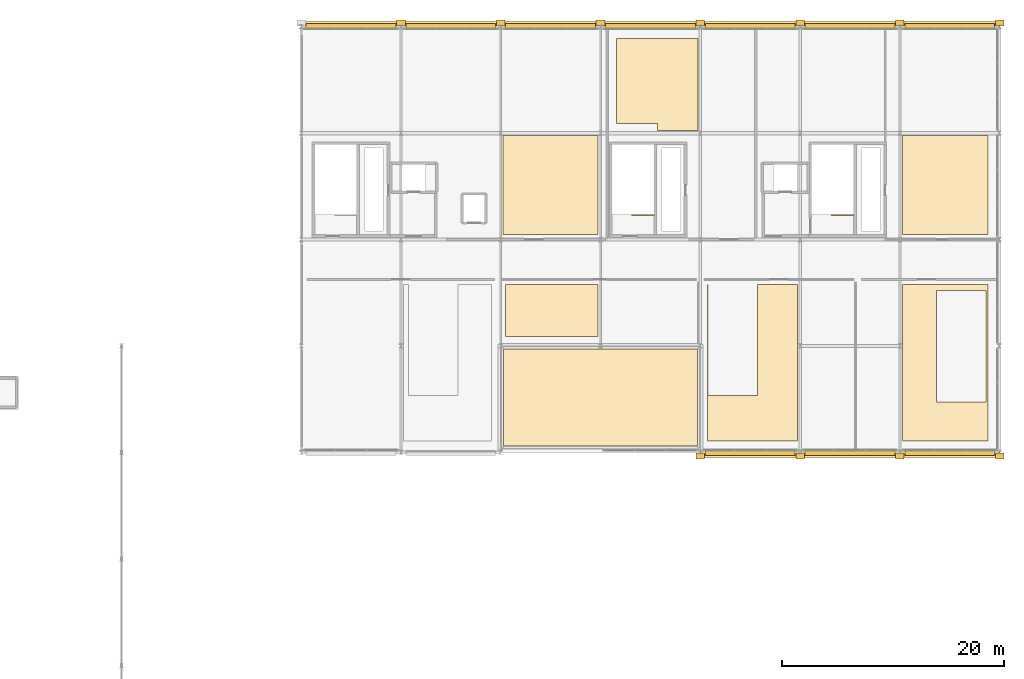
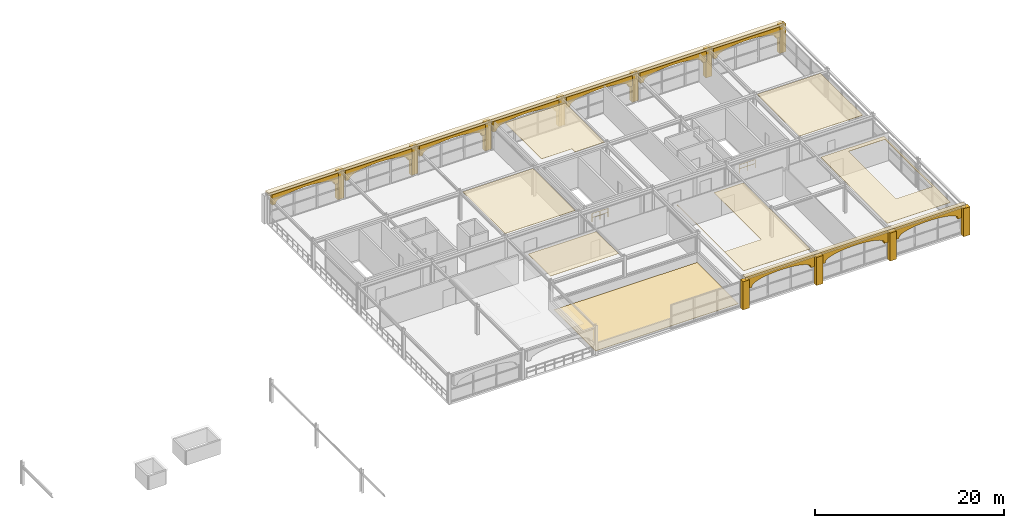
# One storey, part 25 of 25: 30 coverings, 2 railings.
"""IFC4 building model written with IfcOpenShell, lengths in metres."""

from ifc_helpers import new_model, si_unit, direction, frame, origin, origin_2d, place, context, subcontext, project, spatial, polyline, rectangle, outline, extrude, material, layer, layer_set, type_object, element, save


model = new_model("IFC4")

# Units and contexts
model_context = context("Model", 3, precision=1e-05, world=origin(), true_north=direction((0.0, 1.0)))
body_context = subcontext(model_context, "Body", "Model", "MODEL_VIEW")
ifc_project = project(units=[si_unit("LENGTHUNIT", "METRE"), si_unit("AREAUNIT", "SQUARE_METRE"), si_unit("VOLUMEUNIT", "CUBIC_METRE"), si_unit("PLANEANGLEUNIT", "RADIAN"), si_unit("MASSUNIT", "GRAM", prefix="KILO")], contexts=[model_context])

# Site, building, storey
site_placement = place(None, origin())
site = spatial("IfcSite", under=ifc_project, at=site_placement, CompositionType="ELEMENT")
building_placement = place(site_placement, origin())
building = spatial("IfcBuilding", under=site, at=building_placement, Name="Myrtia Square Station", CompositionType="ELEMENT")
storey_placement = place(building_placement, frame((0.0, 0.0, 18.89990234375)))
storey = spatial("IfcBuildingStorey", under=building, at=storey_placement, Name="L04", CompositionType="ELEMENT", Elevation=18.89990234375)

# Coverings
ifc_material_1 = material(Name="Pentelic marble ashlar", Category="masonry")
ifc_layer_1 = layer(ifc_material_1, 0.4599609375, Name="Pentelic marble ashlar")
ifc_layer_set_1 = layer_set([ifc_layer_1], Name="Pentelic marble ashlar")
covering_type_1 = type_object("IfcCoveringType", Name="COV-ARCH-ASHLAR", PredefinedType="CLADDING", material=ifc_layer_set_1)
for number, where, z_axis, x_axis, name in (
    (1, (135.0, 125.1201171875, -0.0400390625), (0.0, 0.0, 1.0), (1.0, 0.0, 0.0), "Classical Pentelic ashlar pilaster 076"),
    (2, (144.0, 125.1201171875, -0.0400390625), (0.0, 0.0, 1.0), (1.0, 0.0, 0.0), "Classical Pentelic ashlar pilaster 085"),
    (3, (153.0, 125.1201171875, -0.0400390625), (0.0, 0.0, 1.0), (1.0, 0.0, 0.0), "Classical Pentelic ashlar pilaster 094"),
    (4, (162.0, 86.080078125, -0.0400390625), (0.0, 0.0, 1.0), (1.0, 0.0, 0.0), "Classical Pentelic ashlar pilaster 103"),
    (5, (162.0, 125.1201171875, -0.0400390625), (0.0, 0.0, 1.0), (1.0, 0.0, 0.0), "Classical Pentelic ashlar pilaster 104"),
    (6, (171.0, 86.080078125, -0.0400390625), (0.0, 0.0, 1.0), (1.0, 0.0, 0.0), "Classical Pentelic ashlar pilaster 113"),
    (7, (171.0, 125.1201171875, -0.0400390625), (0.0, 0.0, 1.0), (1.0, 0.0, 0.0), "Classical Pentelic ashlar pilaster 114"),
    (8, (180.0, 86.080078125, -0.0400390625), (0.0, 0.0, 1.0), (1.0, 0.0, 0.0), "Classical Pentelic ashlar pilaster 123"),
    (9, (180.0, 125.1201171875, -0.0400390625), (0.0, 0.0, 1.0), (1.0, 0.0, 0.0), "Classical Pentelic ashlar pilaster 124"),
    (10, (189.0, 86.080078125, -0.0400390625), (0.0, 0.0, 1.0), (1.0, 0.0, 0.0), "Classical Pentelic ashlar pilaster 132"),
    (11, (189.0, 125.1201171875, -0.0400390625), (0.0, 0.0, 1.0), (1.0, 0.0, 0.0), "Classical Pentelic ashlar pilaster 133"),
):
    element("IfcCovering", number, at=place(storey_placement, frame(where, z_axis=z_axis, x_axis=x_axis)), inside=storey, type_object=covering_type_1, Name=name, PredefinedType="CLADDING", context=body_context, shape_type="SweptSolid", body=[
        extrude(rectangle(XDim=0.780029296875, YDim=0.56005859375, at=origin_2d()), origin(), (0.0, 0.0, 1.0), 3.639892578125),
    ])
for number, where, z_axis, x_axis, name in (
    (12, (126.449951171875, 124.85009765625, 2.25), (0.0, 0.0, 1.0), (1.0, 0.0, 0.0), "V5 north attic loggia arch 079"),
    (13, (135.449951171875, 124.85009765625, 2.25), (0.0, 0.0, 1.0), (1.0, 0.0, 0.0), "V5 north attic loggia arch 081"),
    (14, (144.449951171875, 124.85009765625, 2.25), (0.0, 0.0, 1.0), (1.0, 0.0, 0.0), "V5 north attic loggia arch 082"),
    (15, (153.449951171875, 124.85009765625, 2.25), (0.0, 0.0, 1.0), (1.0, 0.0, 0.0), "V5 north attic loggia arch 083"),
    (16, (162.449951171875, 86.35009765625, 2.25), (0.0, 0.0, 1.0), (1.0, 0.0, 0.0), "V5 attic loggia arch 084"),
    (17, (162.449951171875, 124.85009765625, 2.25), (0.0, 0.0, 1.0), (1.0, 0.0, 0.0), "V5 north attic loggia arch 085"),
    (18, (171.449951171875, 86.35009765625, 2.25), (0.0, 0.0, 1.0), (1.0, 0.0, 0.0), "V5 attic loggia arch 086"),
    (19, (171.449951171875, 124.85009765625, 2.25), (0.0, 0.0, 1.0), (1.0, 0.0, 0.0), "V5 north attic loggia arch 087"),
    (20, (180.449951171875, 86.35009765625, 2.25), (0.0, 0.0, 1.0), (1.0, 0.0, 0.0), "V5 attic loggia arch 088"),
    (21, (180.449951171875, 124.85009765625, 2.25), (0.0, 0.0, 1.0), (1.0, 0.0, 0.0), "V5 north attic loggia arch 089"),
):
    element("IfcCovering", number, at=place(storey_placement, frame(where, z_axis=z_axis, x_axis=x_axis)), inside=storey, type_object=covering_type_1, Name=name, PredefinedType="CLADDING", context=body_context, shape_type="SweptSolid", body=[
        extrude(outline(polyline([(0.0, 0.0), (0.449951171875, 0.0), (0.449951171875, 0.150146484375), (0.519287109375, 0.31591796875), (0.72412109375, 0.475341796875), (1.056640625, 0.622314453125), (1.50439453125, 0.751220703125), (2.050048828125, 0.85693359375), (2.67236328125, 0.935302734375), (3.34765625, 0.98388671875), (4.050048828125, 1.0), (4.75244140625, 0.98388671875), (5.427734375, 0.935302734375), (6.050048828125, 0.85693359375), (6.595703125, 0.751220703125), (7.04345703125, 0.622314453125), (7.3759765625, 0.475341796875), (7.580810546875, 0.31591796875), (7.650146484375, 0.150146484375), (7.650146484375, 0.0), (8.10009765625, 0.0), (8.10009765625, 1.35009765625), (0.0, 1.35009765625), (0.0, 0.0)])), frame((0.0, 0.219970703125, 0.0), z_axis=(0.0, -1.0, 0.0), x_axis=(1.0, 0.0, 0.0)), (0.0, 0.0, 1.0), 0.43994140625),
    ])
ifc_material_2 = material(Name="Gypsum plasterboard")
ifc_layer_2 = layer(ifc_material_2, 0.034912109375, Name="Gypsum plasterboard")
ifc_layer_set_2 = layer_set([ifc_layer_2], Name="Gypsum plasterboard")
covering_type_2 = type_object("IfcCoveringType", Name="COV-CEIL-ACOUSTIC", PredefinedType="CEILING", material=ifc_layer_set_2)
covering_1_placement = place(storey_placement, frame((0.0, 0.0, 3.6201171875)))
element("IfcCovering", 22, at=covering_1_placement, inside=storey, type_object=covering_type_2, Name="Acoustic coffer ceiling L04-02", PredefinedType="CEILING", context=body_context, shape_type="SweptSolid", body=[
    extrude(outline(polyline([(152.780029296875, 101.550048828125), (152.780029296875, 96.85009765625), (144.449951171875, 96.85009765625), (144.449951171875, 101.550048828125), (152.780029296875, 101.550048828125)])), origin(), (0.0, 0.0, 1.0), 0.034912109375),
])
covering_2_placement = place(storey_placement, frame((0.0, 0.0, 3.6201171875)))
element("IfcCovering", 23, at=covering_2_placement, inside=storey, type_object=covering_type_2, Name="Acoustic coffer ceiling L04-04", PredefinedType="CEILING", context=body_context, shape_type="SweptSolid", body=[
    extrude(outline(polyline([(187.949951171875, 101.550048828125), (187.949951171875, 87.449951171875), (180.219970703125, 87.449951171875), (180.219970703125, 95.949951171875), (180.218994140625, 95.9716796875), (180.2158203125, 95.992919921875), (180.214111328125, 96.0), (180.2158203125, 96.007080078125), (180.218994140625, 96.0283203125), (180.219970703125, 96.050048828125), (180.219970703125, 101.550048828125), (187.949951171875, 101.550048828125)]), holes=[polyline([(183.2900390625, 90.929931640625), (187.75, 90.929931640625), (187.75, 101.0), (183.2900390625, 101.0), (183.2900390625, 90.929931640625)])]), origin(), (0.0, 0.0, 1.0), 0.034912109375),
])
covering_3_placement = place(storey_placement, frame((0.0, 0.0, 3.6201171875)))
element("IfcCovering", 24, at=covering_3_placement, inside=storey, type_object=covering_type_2, Name="Acoustic coffer ceiling L04-06", PredefinedType="CEILING", context=body_context, shape_type="SweptSolid", body=[
    extrude(outline(polyline([(158.159912109375, 116.050048828125), (154.449951171875, 116.050048828125), (154.449951171875, 123.75), (161.780029296875, 123.75), (161.780029296875, 115.419921875), (158.159912109375, 115.419921875), (158.159912109375, 116.050048828125)])), origin(), (0.0, 0.0, 1.0), 0.034912109375),
])
ifc_material_3 = material(Name="Acoustic European oak timber", Category="wood")
ifc_layer_3 = layer(ifc_material_3, 0.044921875, Name="Acoustic European oak timber")
ifc_layer_set_3 = layer_set([ifc_layer_3], Name="Acoustic European oak timber")
covering_type_3 = type_object("IfcCoveringType", Name="COV-CEIL-OAK", PredefinedType="CEILING", material=ifc_layer_set_3)
covering_4_placement = place(storey_placement, frame((0.0, 0.0, 3.610107421875)))
element("IfcCovering", 25, at=covering_4_placement, inside=storey, type_object=covering_type_3, Name="Acoustic coffer ceiling L04-03", PredefinedType="CEILING", context=body_context, shape_type="SweptSolid", body=[
    extrude(outline(polyline([(162.699951171875, 101.550048828125), (162.699951171875, 91.550048828125), (167.159912109375, 91.550048828125), (167.159912109375, 101.550048828125), (170.780029296875, 101.550048828125), (170.780029296875, 96.050048828125), (170.781005859375, 96.0283203125), (170.7841796875, 96.007080078125), (170.785888671875, 96.0), (170.7841796875, 95.992919921875), (170.781005859375, 95.9716796875), (170.780029296875, 95.949951171875), (170.780029296875, 87.449951171875), (162.64990234375, 87.449951171875), (162.64990234375, 101.550048828125), (162.699951171875, 101.550048828125)])), origin(), (0.0, 0.0, 1.0), 0.044921875),
])
covering_5_placement = place(storey_placement, frame((0.0, 0.0, 3.610107421875)))
element("IfcCovering", 26, at=covering_5_placement, inside=storey, type_object=covering_type_3, Name="Acoustic coffer ceiling L04-05", PredefinedType="CEILING", context=body_context, shape_type="SweptSolid", body=[
    extrude(outline(polyline([(144.219970703125, 106.050048828125), (144.219970703125, 114.97998046875), (152.780029296875, 114.97998046875), (152.780029296875, 106.050048828125), (144.219970703125, 106.050048828125)])), origin(), (0.0, 0.0, 1.0), 0.044921875),
])
covering_6_placement = place(storey_placement, frame((0.0, 0.0, 3.610107421875)))
element("IfcCovering", 27, at=covering_6_placement, inside=storey, type_object=covering_type_3, Name="Acoustic coffer ceiling L04-08", PredefinedType="CEILING", context=body_context, shape_type="SweptSolid", body=[
    extrude(outline(polyline([(187.949951171875, 106.050048828125), (180.219970703125, 106.050048828125), (180.219970703125, 114.97998046875), (187.949951171875, 114.97998046875), (187.949951171875, 106.050048828125)])), origin(), (0.0, 0.0, 1.0), 0.044921875),
])
ifc_layer_4 = layer(ifc_material_1, 0.47998046875, Name="Pentelic marble ashlar")
ifc_layer_set_4 = layer_set([ifc_layer_4], Name="Pentelic marble ashlar")
covering_type_4 = type_object("IfcCoveringType", Name="COV-CORNICE-ASHLAR", PredefinedType="MOLDING", material=ifc_layer_set_4)
covering_7_placement = place(storey_placement, frame((175.5, 86.22998046875, 3.580078125), z_axis=(0.0, 0.0, 1.0), x_axis=(1.0, 0.0, 0.0)))
element("IfcCovering", 28, at=covering_7_placement, inside=storey, type_object=covering_type_4, Name="Classical entablature cornice moulding 014", PredefinedType="MOLDING", context=body_context, shape_type="SweptSolid", body=[
    extrude(rectangle(XDim=27.0, YDim=0.580078125, at=origin_2d()), origin(), (0.0, 0.0, 1.0), 0.360107421875),
])
covering_8_placement = place(storey_placement, frame((157.5, 124.969970703125, 3.580078125), z_axis=(0.0, 0.0, 1.0), x_axis=(1.0, 0.0, 0.0)))
element("IfcCovering", 29, at=covering_8_placement, inside=storey, type_object=covering_type_4, Name="Classical entablature cornice moulding 015", PredefinedType="MOLDING", context=body_context, shape_type="SweptSolid", body=[
    extrude(rectangle(XDim=63.0, YDim=0.580078125, at=origin_2d()), origin(), (0.0, 0.0, 1.0), 0.360107421875),
])
ifc_material_4 = material(Name="Waterproof elastomeric membrane")
ifc_layer_5 = layer(ifc_material_4, 0.044921875, Name="Waterproof elastomeric membrane")
ifc_layer_set_5 = layer_set([ifc_layer_5], Name="Waterproof elastomeric membrane")
covering_type_5 = type_object("IfcCoveringType", Name="COV-MEMB-FLAT", PredefinedType="ROOFING", material=ifc_layer_set_5)
covering_9_placement = place(storey_placement, origin())
element("IfcCovering", 30, at=covering_9_placement, inside=storey, type_object=covering_type_5, Name="Flat roof waterproof membrane ROOF-L04-V5M", PredefinedType="ROOFING", context=body_context, shape_type="SweptSolid", body=[
    extrude(outline(polyline([(144.260009765625, 86.9599609375), (161.739990234375, 86.9599609375), (161.739990234375, 95.739990234375), (144.260009765625, 95.739990234375), (144.260009765625, 86.9599609375)])), origin(), (0.0, 0.0, 1.0), 0.045166015625),
])

# Railings
ifc_material_5 = material(Name="Wrought iron", Category="steel")
railing_type = type_object("IfcRailingType", Name="RL-INT-GUARD-1100", PredefinedType="BALUSTRADE", material=ifc_material_5)
for number, where, name in (
    (31, (175.81005859375, 107.800048828125, 0.0), "L04 ST08 top well guard 1"),
    (32, (157.81005859375, 107.800048828125, 0.0), "L04 ST15 top well guard 1"),
):
    element("IfcRailing", number, at=place(storey_placement, frame(where)), inside=storey, type_object=railing_type, Name=name, PredefinedType="BALUSTRADE", context=body_context, shape_type="SweptSolid", body=[
        extrude(rectangle(XDim=0.048095703125, YDim=0.048095703125, at=origin_2d()), frame((-0.03466796875, 0.0, 1.09619140625), z_axis=(-1.0, 0.0, 0.0), x_axis=(0.0, -1.0, 0.0)), (0.0, 0.0, 1.0), 0.91064453125),
        extrude(rectangle(XDim=0.048095703125, YDim=0.048095703125, at=origin_2d()), frame((-0.03466796875, 0.0, 0.58251953125), z_axis=(-1.0, 0.0, 0.0), x_axis=(0.0, -1.0, 0.0)), (0.0, 0.0, 1.0), 0.91064453125),
        extrude(rectangle(XDim=0.048095703125, YDim=0.048095703125, at=origin_2d()), frame((-1.0146484375, 0.0, 1.09619140625), z_axis=(-1.0, 0.0, 0.0), x_axis=(0.0, -1.0, 0.0)), (0.0, 0.0, 1.0), 0.91064453125),
        extrude(rectangle(XDim=0.048095703125, YDim=0.048095703125, at=origin_2d()), frame((-1.0146484375, 0.0, 0.58251953125), z_axis=(-1.0, 0.0, 0.0), x_axis=(0.0, -1.0, 0.0)), (0.0, 0.0, 1.0), 0.91064453125),
        extrude(rectangle(XDim=0.0439453125, YDim=0.0439453125, at=origin_2d()), origin(), (0.0, 0.0, 1.0), 1.1201171875),
        extrude(rectangle(XDim=0.0439453125, YDim=0.0439453125, at=origin_2d()), frame((-0.97998046875, 0.0, 0.0)), (0.0, 0.0, 1.0), 1.1201171875),
        extrude(rectangle(XDim=0.0439453125, YDim=0.0439453125, at=origin_2d()), frame((-1.9599609375, 0.0, 0.0)), (0.0, 0.0, 1.0), 1.1201171875),
    ])

save(model, "model.ifc")
